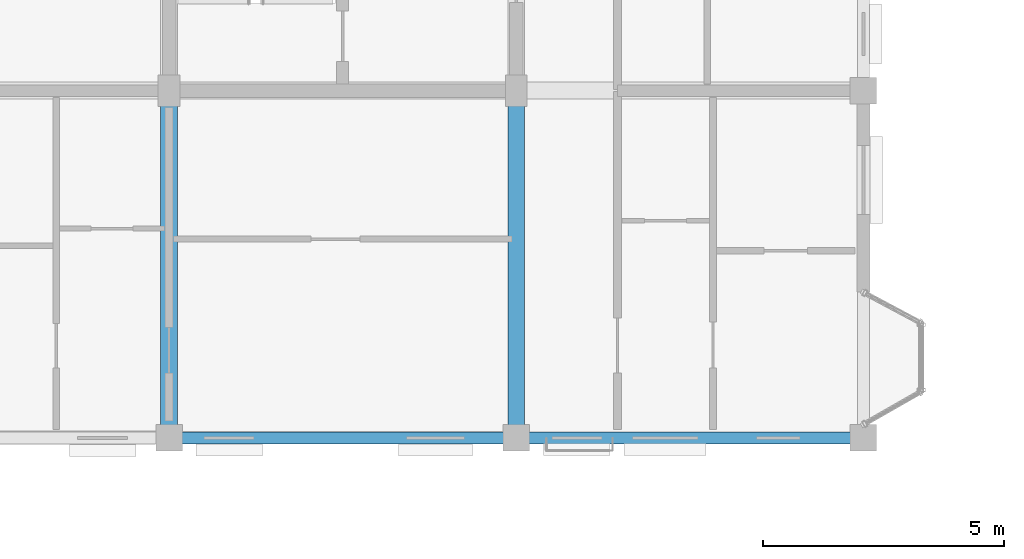
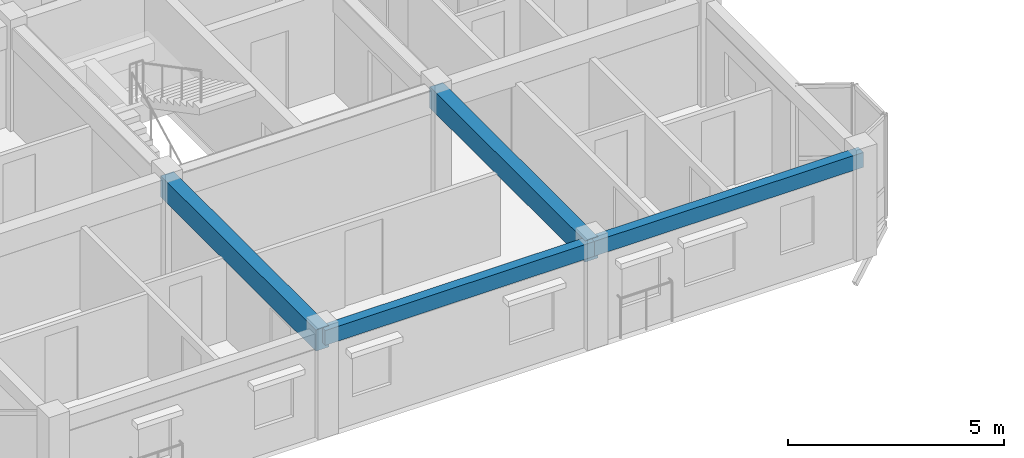
# One storey, part 14 of 79: 4 beams.
"""IFC4 building model written with IfcOpenShell, lengths in metres."""

from ifc_helpers import new_model, si_unit, direction, frame, origin, origin_2d, place, context, subcontext, project, spatial, rectangle, extrude, material, material_profile, profile_set, type_object, element, save


model = new_model("IFC4")

# Units and contexts
model_context = context("Model", 3, precision=1e-05, world=origin(), true_north=direction((0.0, 1.0)))
body_context = subcontext(model_context, "Body", "Model", "MODEL_VIEW")
ifc_project = project(units=[si_unit("LENGTHUNIT", "METRE"), si_unit("AREAUNIT", "SQUARE_METRE"), si_unit("VOLUMEUNIT", "CUBIC_METRE"), si_unit("PLANEANGLEUNIT", "RADIAN"), si_unit("MASSUNIT", "GRAM", prefix="KILO"), si_unit("THERMODYNAMICTEMPERATUREUNIT", "KELVIN"), si_unit("POWERUNIT", "WATT")], contexts=[model_context])

# Site, building, storey
site_placement = place(None, origin())
site = spatial("IfcSite", under=ifc_project, at=site_placement, CompositionType="ELEMENT")
building_placement = place(site_placement, origin())
building = spatial("IfcBuilding", under=site, at=building_placement, Name="Tavuni Mirador Residences", CompositionType="ELEMENT")
storey_placement = place(building_placement, frame((0.0, 0.0, 13.949951171875)))
storey = spatial("IfcBuildingStorey", under=building, at=storey_placement, Name="L04", CompositionType="ELEMENT", Elevation=13.949951171875)

# Beams
ifc_material = material(Name="Precast concrete C40/50", Category="concrete")
ifc_material_profile_1 = material_profile(ifc_material, rectangle(XDim=0.35009765625, YDim=0.60009765625, at=origin_2d()), Name="PC 350x600", Category="concrete")
ifc_profile_set_1 = profile_set([ifc_material_profile_1], Name="Precast concrete C40/50")
beam_type_1 = type_object("IfcBeamType", Name="BT-B600", PredefinedType="BEAM", material=ifc_profile_set_1)
for number, where, z_axis, x_axis, name in (
    (1, (10.800048828125, 64.800048828125, 2.610107421875), (0.0, 1.0, 0.0), (-1.0, 0.0, 0.0), "BMY-BLK-B-L04-01-00"),
    (2, (18.0, 64.800048828125, 2.610107421875), (0.0, 1.0, 0.0), (-1.0, 0.0, 0.0), "BMY-BLK-B-L04-02-00"),
):
    element("IfcBeam", number, at=place(storey_placement, frame(where, z_axis=z_axis, x_axis=x_axis)), inside=storey, type_object=beam_type_1, Name=name, PredefinedType="BEAM", context=body_context, shape_type="SweptSolid", body=[
        extrude(rectangle(XDim=0.35009765625, YDim=0.60009765625, at=origin_2d()), origin(), (0.0, 0.0, 1.0), 7.199951171875),
    ])
ifc_material_profile_2 = material_profile(ifc_material, rectangle(XDim=0.25, YDim=0.419921875, at=origin_2d()), Name="PC 250x420", Category="concrete")
ifc_profile_set_2 = profile_set([ifc_material_profile_2], Name="Precast concrete C40/50")
beam_type_2 = type_object("IfcBeamType", Name="BT-SP420", PredefinedType="SPANDREL", material=ifc_profile_set_2)
for number, where, z_axis, x_axis, name in (
    (3, (10.800048828125, 64.800048828125, 2.699951171875), (1.0, 0.0, 0.0), (0.0, 1.0, 0.0), "BMX-BLK-B-L04-01-00"),
    (4, (18.0, 64.800048828125, 2.699951171875), (1.0, 0.0, 0.0), (0.0, 1.0, 0.0), "BMX-BLK-B-L04-02-00"),
):
    element("IfcBeam", number, at=place(storey_placement, frame(where, z_axis=z_axis, x_axis=x_axis)), inside=storey, type_object=beam_type_2, Name=name, PredefinedType="SPANDREL", context=body_context, shape_type="SweptSolid", body=[
        extrude(rectangle(XDim=0.25, YDim=0.419921875, at=origin_2d()), origin(), (0.0, 0.0, 1.0), 7.199951171875),
    ])

save(model, "model.ifc")
